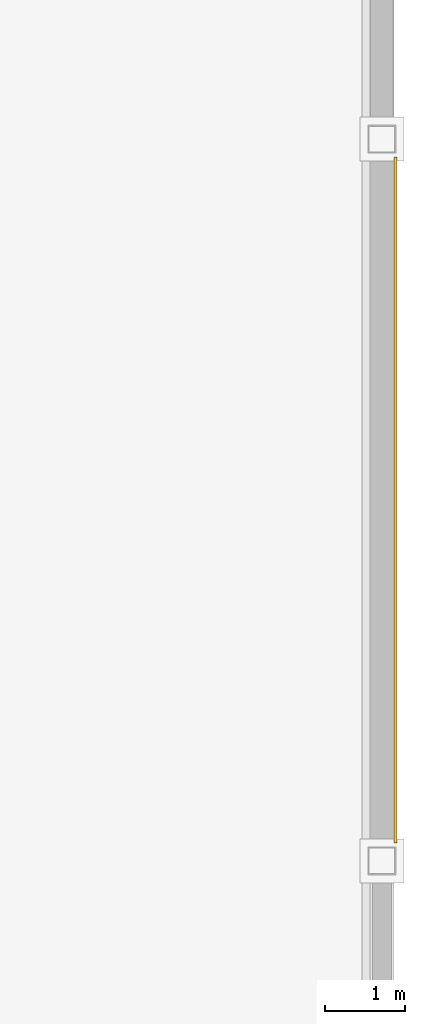
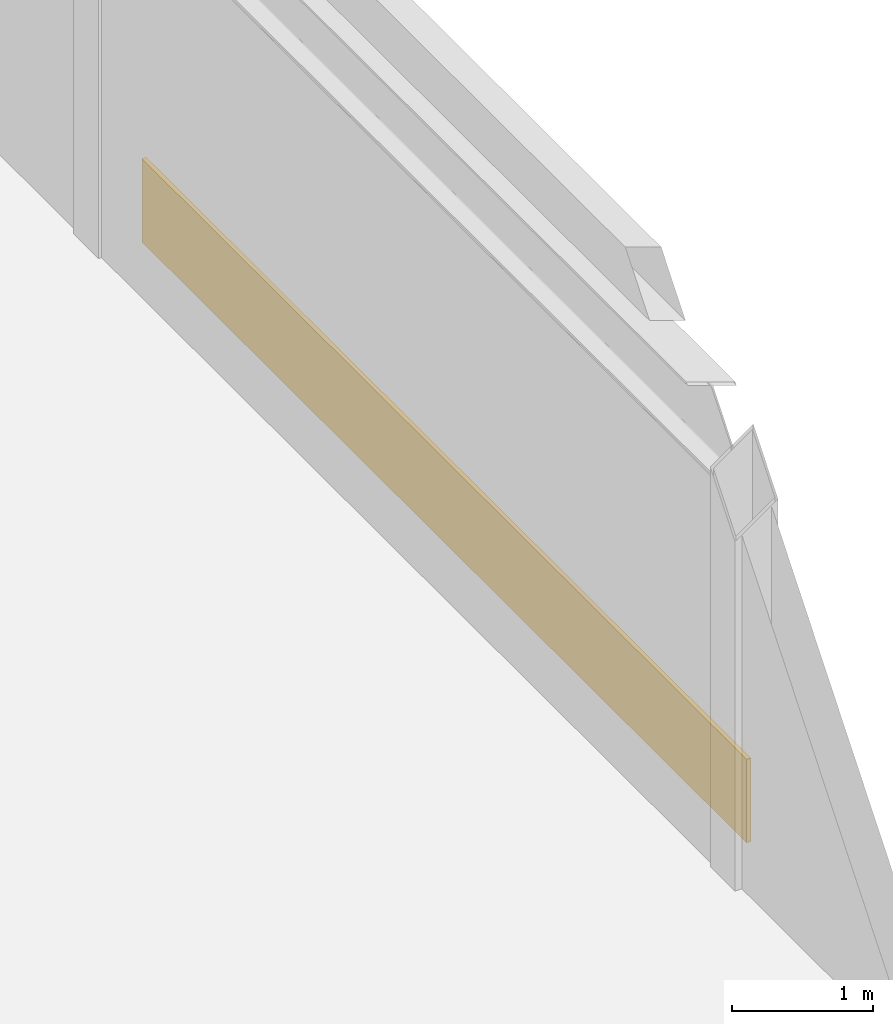
# One storey, part 14 of 14: 1 covering.
"""IFC4 building model written with IfcOpenShell, lengths in metres."""

from ifc_helpers import new_model, si_unit, direction, frame, origin, origin_2d, place, context, subcontext, project, spatial, rectangle, extrude, material, layer, layer_set, type_object, element, save


model = new_model("IFC4")

# Units and contexts
model_context = context("Model", 3, precision=1e-05, world=origin(), true_north=direction((0.0, 1.0)))
body_context = subcontext(model_context, "Body", "Model", "MODEL_VIEW")
ifc_project = project(units=[si_unit("LENGTHUNIT", "METRE"), si_unit("AREAUNIT", "SQUARE_METRE"), si_unit("VOLUMEUNIT", "CUBIC_METRE"), si_unit("PLANEANGLEUNIT", "RADIAN"), si_unit("MASSUNIT", "GRAM", prefix="KILO")], contexts=[model_context])

# Site, building, storey
site_placement = place(None, origin())
site = spatial("IfcSite", under=ifc_project, at=site_placement, CompositionType="ELEMENT")
building_placement = place(site_placement, origin())
building = spatial("IfcBuilding", under=site, at=building_placement, Name="Suzunagisa Mobility Hub", CompositionType="ELEMENT")
storey_placement = place(building_placement, frame((0.0, 0.0, 26.10009765625)))
storey = spatial("IfcBuildingStorey", under=building, at=storey_placement, Name="L06", CompositionType="ELEMENT", Elevation=26.10009765625)

# Covering
ifc_material = material(Name="Vitreous Porcelain Enamel Aluminum Cladding", Category="aluminium")
ifc_layer = layer(ifc_material, 0.034912109375)
ifc_layer_set = layer_set([ifc_layer], Name="Vitreous Porcelain Enamel Aluminum Cladding")
covering_type = type_object("IfcCoveringType", Name="Porcelain Enamel Spandrel Cladding Band CLD-01", PredefinedType="CLADDING", material=ifc_layer_set)
covering_placement = place(storey_placement, frame((180.16748046875, 75.5, 0.06005859375), z_axis=(0.0, 0.0, 1.0), x_axis=(0.0, 1.0, 0.0)))
element("IfcCovering", 1, at=covering_placement, inside=storey, type_object=covering_type, Name="L06 Porcelain Spandrel Cladding Band CLD-53", PredefinedType="CLADDING", context=body_context, shape_type="SweptSolid", body=[
    extrude(rectangle(XDim=8.550048828125, YDim=0.034912109375, at=origin_2d()), origin(), (0.0, 0.0, 1.0), 0.719970703125),
])

save(model, "model.ifc")
